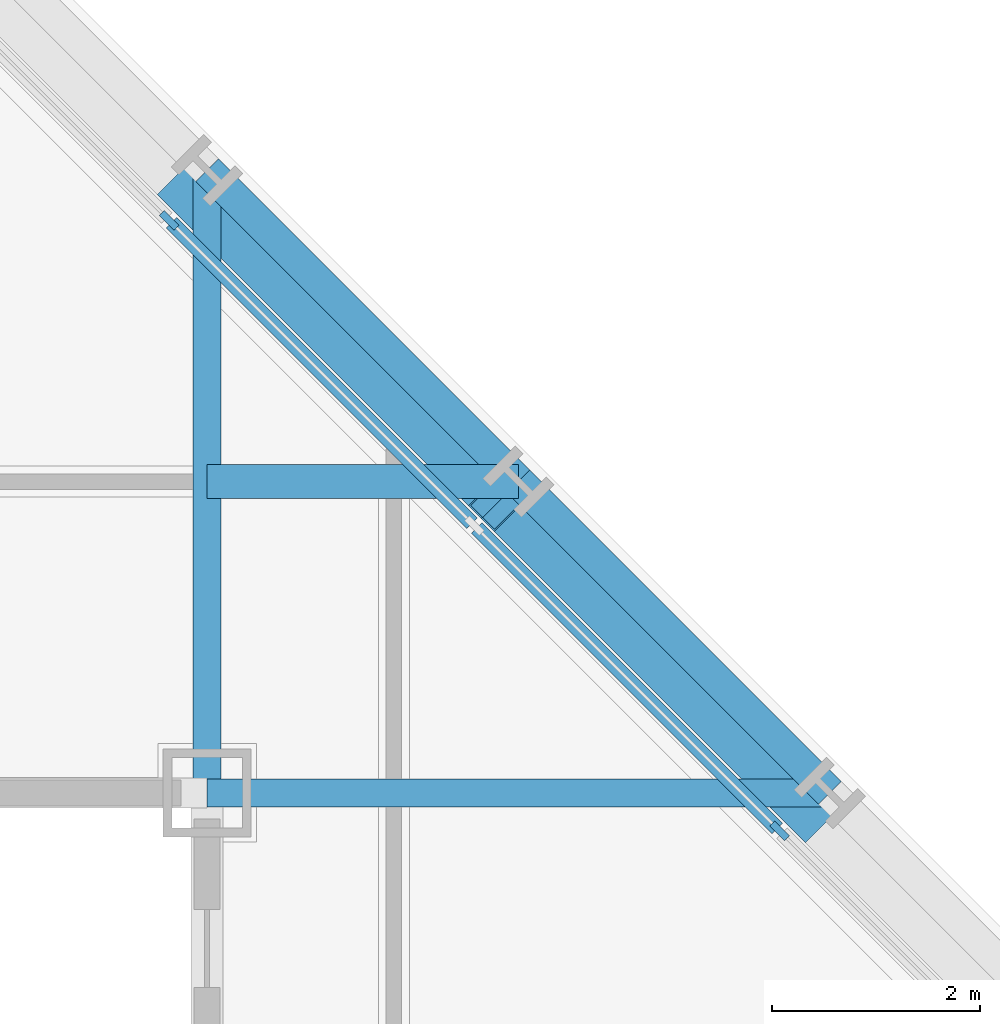
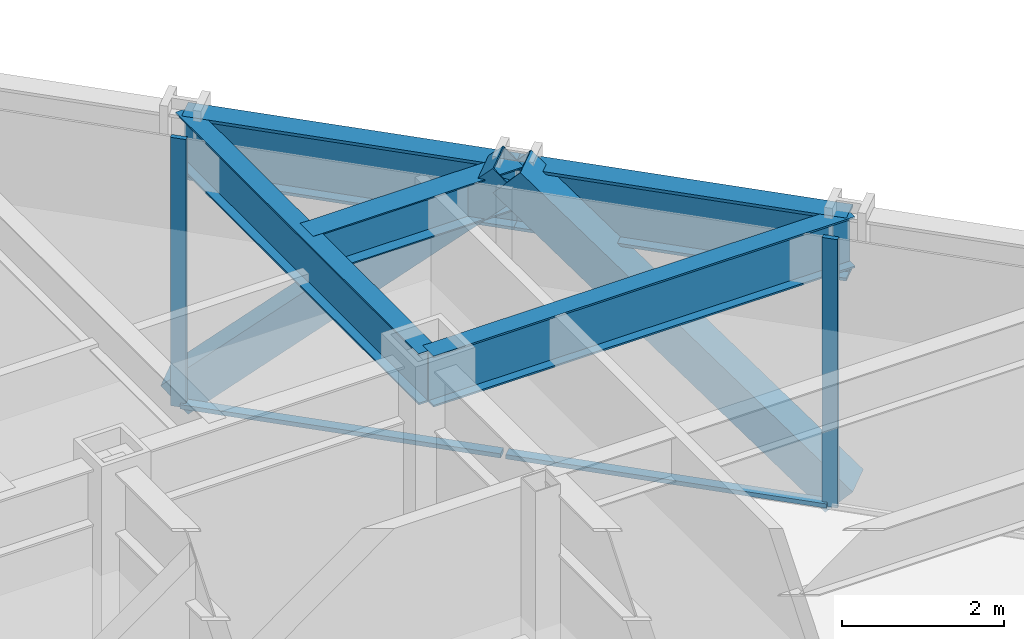
# One storey, part 8 of 16: 6 members, 5 beams, 1 element without a shape of its own.
"""IFC4 building model written with IfcOpenShell, lengths in metres."""

from ifc_helpers import new_model, si_unit, direction, frame, origin, origin_2d, place, context, subcontext, project, spatial, rectangle, hollow_rectangle, i_section, extrude, material, layer, layer_set, material_profile, profile_set, type_object, element, aggregate, save


model = new_model("IFC4")

# Units and contexts
model_context = context("Model", 3, precision=1e-05, world=origin(), true_north=direction((0.0, 1.0)))
body_context = subcontext(model_context, "Body", "Model", "MODEL_VIEW")
ifc_project = project(units=[si_unit("LENGTHUNIT", "METRE"), si_unit("AREAUNIT", "SQUARE_METRE"), si_unit("VOLUMEUNIT", "CUBIC_METRE"), si_unit("PLANEANGLEUNIT", "RADIAN"), si_unit("MASSUNIT", "GRAM", prefix="KILO")], contexts=[model_context])

# Site, building, storey
site_placement = place(None, origin())
site = spatial("IfcSite", under=ifc_project, at=site_placement, CompositionType="ELEMENT")
building_placement = place(site_placement, origin())
building = spatial("IfcBuilding", under=site, at=building_placement, Name="Chuquiago Exchange Tower", CompositionType="ELEMENT")
storey_placement = place(building_placement, frame((0.0, 0.0, 127.800048828125)))
storey = spatial("IfcBuildingStorey", under=building, at=storey_placement, Name="L27", CompositionType="ELEMENT", Elevation=127.800048828125)

# Beam
ifc_material_1 = material(Name="Steel ASTM A992", Category="steel")
ifc_material_profile_1 = material_profile(ifc_material_1, i_section(OverallWidth=0.3251953125, OverallDepth=0.612060546875, WebThickness=0.0126953125, FlangeThickness=0.01904296875, at=origin_2d()), Name="W24X104")
ifc_profile_set_1 = profile_set([ifc_material_profile_1], Name="Steel ASTM A992")
beam_type_1 = type_object("IfcBeamType", Name="B2 W24X104", PredefinedType="BEAM", material=ifc_profile_set_1)
beam_placement = place(storey_placement, frame((33.0, 36.0, 3.73388671875), z_axis=(1.0, 0.0, 0.0), x_axis=(0.0, 1.0, 0.0)))
element("IfcBeam", 1, at=beam_placement, inside=storey, type_object=beam_type_1, Name="FB-L28-corner-33_36-36_36-0", PredefinedType="BEAM", context=body_context, shape_type="SweptSolid", body=[
    extrude(i_section(OverallWidth=0.3251953125, OverallDepth=0.612060546875, WebThickness=0.0126953125, FlangeThickness=0.01904296875, at=origin_2d()), origin(), (0.0, 0.0, 1.0), 3.0),
])

# Curtain wall, members
ifc_material_2 = material(Name="Aluminium curtain wall system", Category="aluminium")
ifc_layer = layer(ifc_material_2, 0.199951171875)
ifc_layer_set = layer_set([ifc_layer], Name="CW3 facet curtain wall")
curtain_wall_type = type_object("IfcCurtainWallType", Name="CW3 facet curtain wall", PredefinedType="NOTDEFINED", material=ifc_layer_set)
curtain_wall_placement = place(storey_placement, origin())
curtain_wall = element("IfcCurtainWall", 2, at=curtain_wall_placement, inside=storey, type_object=curtain_wall_type, Name="CW3 curtain wall L27", PredefinedType="NOTDEFINED")
ifc_material_3 = material(Name="Aluminium mullion, pale anodised", Category="aluminium")
ifc_material_profile_2 = material_profile(ifc_material_3, rectangle(XDim=0.06494140625, YDim=0.199951171875, at=origin_2d()), Name="AL 65x200")
ifc_profile_set_2 = profile_set([ifc_material_profile_2], Name="Aluminium mullion, pale anodised")
member_type_1 = type_object("IfcMemberType", Name="CW3-M mullion 65x200", PredefinedType="MULLION", material=ifc_profile_set_2)
member_1_placement = place(storey_placement, frame((38.51708984375, 32.63427734375, 0.0), z_axis=(0.0, 0.0, 1.0), x_axis=(-0.707106781187, -0.707106781187, 0.0)))
member_1 = element("IfcMember", 3, at=member_1_placement, type_object=member_type_1, Name="CW3 mullion 3", PredefinedType="MULLION", context=body_context, shape_type="SweptSolid", body=[
    extrude(rectangle(XDim=0.06494140625, YDim=0.199951171875, at=origin_2d()), origin(), (0.0, 0.0, 1.0), 4.0400390625),
])
member_2_placement = place(storey_placement, frame((32.63427734375, 38.51708984375, 0.0), z_axis=(0.0, 0.0, 1.0), x_axis=(-0.707106781187, -0.707106781187, 0.0)))
member_2 = element("IfcMember", 4, at=member_2_placement, type_object=member_type_1, Name="CW3 mullion 5", PredefinedType="MULLION", context=body_context, shape_type="SweptSolid", body=[
    extrude(rectangle(XDim=0.06494140625, YDim=0.199951171875, at=origin_2d()), origin(), (0.0, 0.0, 1.0), 4.0400390625),
])
ifc_material_4 = material(Name="Aluminium transom, pale anodised", Category="aluminium")
ifc_material_profile_3 = material_profile(ifc_material_4, rectangle(XDim=0.139892578125, YDim=0.06494140625, at=origin_2d()), Name="AL 140x65")
ifc_profile_set_3 = profile_set([ifc_material_profile_3], Name="Aluminium transom, pale anodised")
member_type_2 = type_object("IfcMemberType", Name="CW3-T transom 65x140", PredefinedType="MULLION", material=ifc_profile_set_3)
member_3_placement = place(storey_placement, frame((38.494140625, 32.6572265625, 0.032470703125), z_axis=(-0.707106781187, 0.707106781187, 0.0), x_axis=(-0.707106781187, -0.707106781187, 0.0)))
member_3 = element("IfcMember", 5, at=member_3_placement, type_object=member_type_2, Name="CW3 transom 3.1", PredefinedType="MULLION", context=body_context, shape_type="SweptSolid", body=[
    extrude(rectangle(XDim=0.139892578125, YDim=0.06494140625, at=origin_2d()), origin(), (0.0, 0.0, 1.0), 4.094970703125),
])
member_4_placement = place(storey_placement, frame((35.552734375, 35.5986328125, 0.032470703125), z_axis=(-0.707106781187, 0.707106781187, 0.0), x_axis=(-0.707106781187, -0.707106781187, 0.0)))
member_4 = element("IfcMember", 6, at=member_4_placement, type_object=member_type_2, Name="CW3 transom 4.1", PredefinedType="MULLION", context=body_context, shape_type="SweptSolid", body=[
    extrude(rectangle(XDim=0.139892578125, YDim=0.06494140625, at=origin_2d()), origin(), (0.0, 0.0, 1.0), 4.094970703125),
])
aggregate(curtain_wall, [member_1, member_2, member_3, member_4])

# Beams
ifc_material_5 = material(Name="Steel ASTM A992", Category="steel")
ifc_material_profile_4 = material_profile(ifc_material_5, i_section(OverallWidth=0.2666015625, OverallDepth=0.76953125, WebThickness=0.015625, FlangeThickness=0.025390625, at=origin_2d()), Name="W30X132")
ifc_profile_set_4 = profile_set([ifc_material_profile_4], Name="Steel ASTM A992")
beam_type_2 = type_object("IfcBeamType", Name="G1 W30X132", PredefinedType="BEAM", material=ifc_profile_set_4)
for number, where, z_axis, x_axis, name in (
    (7, (33.0, 33.0, 3.655029296875), (0.0, 1.0, 0.0), (-1.0, 0.0, 0.0), "FB-L28-girder-33_33-33_39-0"),
    (8, (33.0, 33.0, 3.655029296875), (1.0, 0.0, 0.0), (0.0, 1.0, 0.0), "FB-L28-girder-33_33-39_33-0"),
):
    element("IfcBeam", number, at=place(storey_placement, frame(where, z_axis=z_axis, x_axis=x_axis)), inside=storey, type_object=beam_type_2, Name=name, PredefinedType="BEAM", context=body_context, shape_type="SweptSolid", body=[
        extrude(i_section(OverallWidth=0.2666015625, OverallDepth=0.76953125, WebThickness=0.015625, FlangeThickness=0.025390625, at=origin_2d()), origin(), (0.0, 0.0, 1.0), 6.0),
    ])

# Members
ifc_material_6 = material(Name="Steel ASTM A500 Grade C", Category="steel")
ifc_material_profile_5 = material_profile(ifc_material_6, hollow_rectangle(XDim=0.508056640625, YDim=0.508056640625, WallThickness=0.017822265625, at=origin_2d()), Name="HSS20X20X3/4")
ifc_profile_set_5 = profile_set([ifc_material_profile_5], Name="Steel ASTM A500 Grade C")
member_type_3 = type_object("IfcMemberType", Name="LB1 HSS20X20X3/4", PredefinedType="BRACE", material=ifc_profile_set_5)
for number, where, z_axis, x_axis, name in (
    (9, (38.822509765625, 32.822509765625, 0.0), (-0.512077265487, 0.512077265487, 0.689604051861), (-0.707106781187, -0.707106781187, 0.0), "LB-L27-39_33-36_36"),
    (10, (32.822509765625, 38.822509765625, 0.0), (0.512077265487, -0.512077265487, 0.689604051861), (0.707106781187, 0.707106781187, 0.0), "LB-L27-36_36-33_39"),
):
    element("IfcMember", number, at=place(storey_placement, frame(where, z_axis=z_axis, x_axis=x_axis)), inside=storey, type_object=member_type_3, Name=name, PredefinedType="BRACE", context=body_context, shape_type="SweptSolid", body=[
        extrude(hollow_rectangle(XDim=0.508056640625, YDim=0.508056640625, WallThickness=0.017822265625, at=origin_2d()), origin(), (0.0, 0.0, 1.0), 5.8583984375),
    ])

# Beams
ifc_material_7 = material(Name="Steel ASTM A992", Category="steel")
ifc_material_profile_6 = material_profile(ifc_material_7, i_section(OverallWidth=0.309814453125, OverallDepth=0.949951171875, WebThickness=0.0244140625, FlangeThickness=0.0439453125, at=origin_2d()), Name="W36X256")
ifc_profile_set_6 = profile_set([ifc_material_profile_6], Name="Steel ASTM A992")
beam_type_3 = type_object("IfcBeamType", Name="SP2 W36X256", PredefinedType="SPANDREL", material=ifc_profile_set_6)
for number, where, z_axis, x_axis, name in (
    (11, (39.0, 33.0, 3.56494140625), (-0.707106781187, 0.707106781187, 0.0), (-0.707106781187, -0.707106781187, 0.0), "SPB-L28-39_33-36_36"),
    (12, (36.0, 36.0, 3.56494140625), (-0.707106781187, 0.707106781187, 0.0), (-0.707106781187, -0.707106781187, 0.0), "SPB-L28-36_36-33_39"),
):
    element("IfcBeam", number, at=place(storey_placement, frame(where, z_axis=z_axis, x_axis=x_axis)), inside=storey, type_object=beam_type_3, Name=name, PredefinedType="SPANDREL", context=body_context, shape_type="SweptSolid", body=[
        extrude(i_section(OverallWidth=0.309814453125, OverallDepth=0.949951171875, WebThickness=0.0244140625, FlangeThickness=0.0439453125, at=origin_2d()), origin(), (0.0, 0.0, 1.0), 4.24267578125),
    ])

save(model, "model.ifc")
